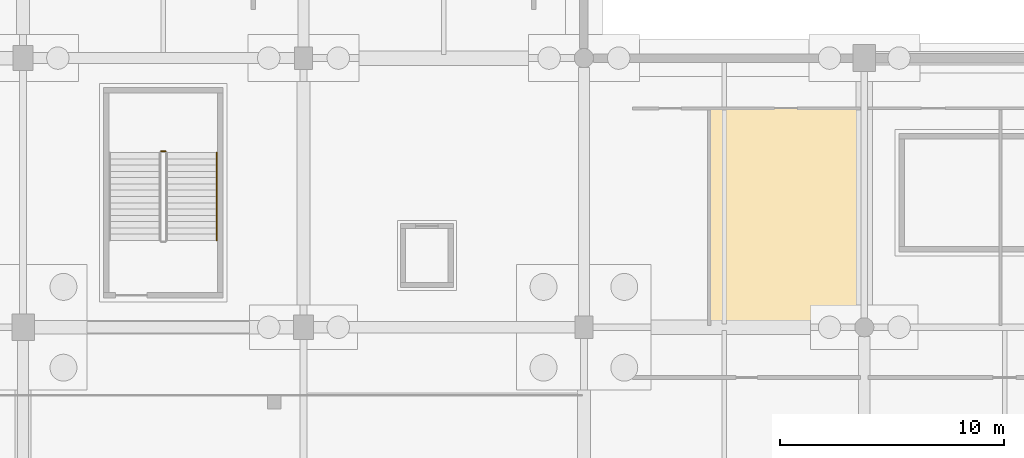
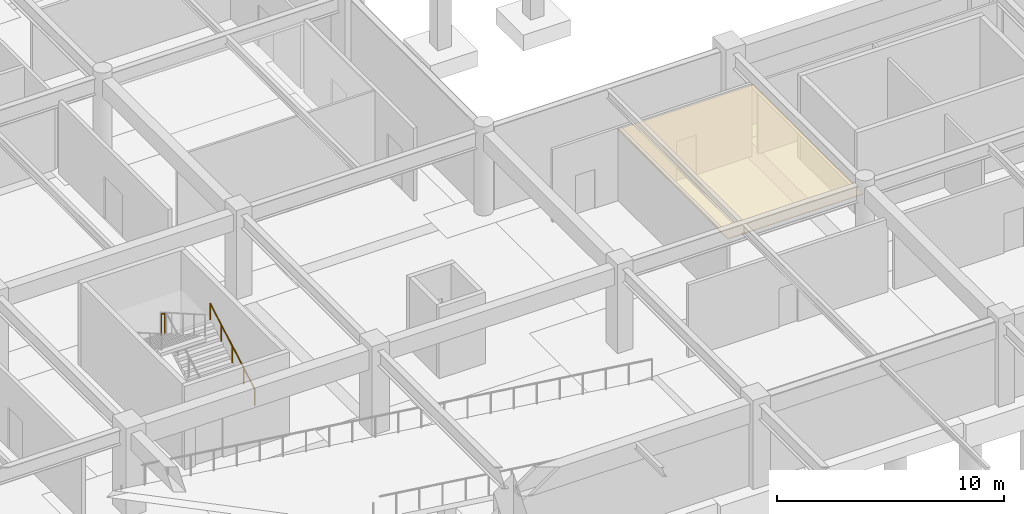
# One storey, part 45 of 56: 2 railings, 1 covering.
"""IFC4 building model written with IfcOpenShell, lengths in metres."""

import ifcopenshell
import ifcopenshell.guid

model = None  # the IFC model being written
_history = None  # IfcOwnerHistory: only IFC2X3 demands one
_inside = {}  # id of a spatial element -> (the spatial element, [elements in it])
_under = {}  # id of a project, library or spatial element -> (it, [spatial elements below it])
_declared = {}  # id of a project -> (the project, [libraries it declares])
_typed = {}  # id of a type object -> (the type object, [elements of that type])
_made_of = {}  # id of a material, layer set ... -> (it, [elements and type objects made of it])


def new_model(schema):
    """Start an empty IFC model of exactly this schema.

    Asked for "IFC4X3", IfcOpenShell would pick the latest addendum, in which some entities
    have other attributes; the version numbers below select the first issue.
    IFC2X3 requires an IfcOwnerHistory on every rooted entity: one is made here for all.
    """
    global model, _history
    if schema == "IFC4X3":
        model = ifcopenshell.file(schema_version=(4, 3, 0, 0))
    else:
        model = ifcopenshell.file(schema=schema)
    _inside.clear()
    _under.clear()
    _declared.clear()
    _typed.clear()
    _made_of.clear()
    _history = None
    if model.schema == "IFC2X3":
        org = make("IfcOrganization", Name="unknown")
        user = make(
            "IfcPersonAndOrganization",
            ThePerson=make("IfcPerson", FamilyName="unknown"),
            TheOrganization=org,
        )
        app = make(
            "IfcApplication",
            ApplicationDeveloper=org,
            Version="unknown",
            ApplicationFullName="unknown",
            ApplicationIdentifier="unknown",
        )
        _history = make(
            "IfcOwnerHistory",
            OwningUser=user,
            OwningApplication=app,
            ChangeAction="ADDED",
            CreationDate=0,
        )
    return model


def make(cls, **values):
    """One entity of the class cls with the attributes given. An attribute that is None is left unset."""
    return model.create_entity(
        cls, **{name: value for name, value in values.items() if value is not None}
    )


def rooted(cls, **values):
    """An entity with a GlobalId (a new one), such as an element, a storey or a relation."""
    return make(cls, GlobalId=ifcopenshell.guid.new(), OwnerHistory=_history, **values)


def si_unit(unit_type, name, prefix=None):
    """IfcSIUnit, for example si_unit("LENGTHUNIT", "METRE", prefix="MILLI")."""
    return make("IfcSIUnit", UnitType=unit_type, Prefix=prefix, Name=name)


def assignment(units):
    """IfcUnitAssignment: the units of a project."""
    return None if units is None else make("IfcUnitAssignment", Units=units)


def point(xyz):
    """IfcCartesianPoint."""
    return None if xyz is None else make("IfcCartesianPoint", Coordinates=xyz)


def direction(xyz):
    """IfcDirection."""
    return None if xyz is None else make("IfcDirection", DirectionRatios=xyz)


def frame(location, z_axis=None, x_axis=None):
    """IfcAxis2Placement3D, a coordinate frame: its origin and axes. An axis left out is left unset."""
    return make(
        "IfcAxis2Placement3D",
        Location=point(location),
        Axis=direction(z_axis),
        RefDirection=direction(x_axis),
    )


def frame_2d(location, x_axis=None):
    """IfcAxis2Placement2D, a coordinate frame in the plane: its origin and x axis."""
    return make(
        "IfcAxis2Placement2D", Location=point(location), RefDirection=direction(x_axis)
    )


def origin():
    """The frame at (0, 0, 0) with its axes left unset."""
    return frame((0.0, 0.0, 0.0))


def origin_2d():
    """The frame at (0, 0) in the plane with its x axis left unset."""
    return frame_2d((0.0, 0.0))


def place(relative_to, where):
    """IfcLocalPlacement: puts the frame where relative to a parent placement (None: the world)."""
    return make(
        "IfcLocalPlacement", PlacementRelTo=relative_to, RelativePlacement=where
    )


def context(
    kind, dimensions, precision=None, world=None, true_north=None, identifier=None
):
    """IfcGeometricRepresentationContext, for example the 3D "Model" context."""
    return make(
        "IfcGeometricRepresentationContext",
        ContextIdentifier=identifier,
        ContextType=kind,
        CoordinateSpaceDimension=dimensions,
        Precision=precision,
        WorldCoordinateSystem=world,
        TrueNorth=true_north,
    )


def subcontext(parent, identifier, kind, view, scale=None):
    """IfcGeometricRepresentationSubContext, for example "Body" below "Model"."""
    return make(
        "IfcGeometricRepresentationSubContext",
        ContextIdentifier=identifier,
        ContextType=kind,
        ParentContext=parent,
        TargetScale=scale,
        TargetView=view,
    )


def project(units=None, contexts=None):
    """IfcProject with its units and contexts."""
    return rooted(
        "IfcProject",
        Name="project",
        RepresentationContexts=contexts,
        UnitsInContext=assignment(units),
    )


def spatial(cls, under=None, at=None, **own):
    """A site, building, storey or space (cls), placed at a placement, below another one or the project."""
    s = rooted(cls, ObjectPlacement=at, **own)
    if under is not None:
        _under.setdefault(under.id(), (under, []))[1].append(s)
    return s


def polyline(points):
    """IfcPolyline through the points."""
    return make("IfcPolyline", Points=[point(p) for p in points])


def profile(cls, at=None, kind="AREA", **sizes):
    """A parametric profile (cls). Its sizes go by their IFC names, for example OverallWidth=200.0."""
    return make(cls, ProfileType=kind, Position=at, **sizes)


def circle(**sizes):
    """IfcCircleProfileDef."""
    return profile("IfcCircleProfileDef", **sizes)


def outline(outer, holes=None, kind="AREA"):
    """IfcArbitraryClosedProfileDef: a profile drawn as a closed curve; with holes, ...WithVoids."""
    if holes is None:
        return make("IfcArbitraryClosedProfileDef", ProfileType=kind, OuterCurve=outer)
    return make(
        "IfcArbitraryProfileDefWithVoids",
        ProfileType=kind,
        OuterCurve=outer,
        InnerCurves=holes,
    )


def extrude(swept, where, along, depth):
    """IfcExtrudedAreaSolid: the profile swept, set in the frame where, extruded along a direction by depth."""
    return make(
        "IfcExtrudedAreaSolid",
        SweptArea=swept,
        Position=where,
        ExtrudedDirection=direction(along),
        Depth=depth,
    )


def shape(context_of_items, identifier, shape_type, items):
    """IfcShapeRepresentation: the items that make up one representation, for example the "Body"."""
    return make(
        "IfcShapeRepresentation",
        ContextOfItems=context_of_items,
        RepresentationIdentifier=identifier,
        RepresentationType=shape_type,
        Items=items,
    )


def material(Name=None, Category=None):
    """IfcMaterial."""
    return make("IfcMaterial", Name=Name, Category=Category)


def layer(
    of_material, thickness, ventilated=None, Name=None, Category=None, Priority=None
):
    """IfcMaterialLayer: one layer of a wall or slab, of a material (None: an air gap)."""
    return make(
        "IfcMaterialLayer",
        Material=of_material,
        LayerThickness=thickness,
        IsVentilated=ventilated,
        Name=Name,
        Category=Category,
        Priority=Priority,
    )


def layer_set(layers, Name=None):
    """IfcMaterialLayerSet."""
    return make("IfcMaterialLayerSet", MaterialLayers=layers, LayerSetName=Name)


def made_of(thing, what):
    """Note that an element or type object is made of a material, layer set ...; save() writes the relation."""
    if what is not None:
        _made_of.setdefault(what.id(), (what, []))[1].append(thing)
    return thing


def type_object(cls, material=None, **own):
    """A type object (cls), such as IfcWallType, which elements share."""
    return made_of(rooted(cls, **own), material)


def element(
    cls,
    number,
    at=None,
    inside=None,
    cuts=None,
    type_object=None,
    material=None,
    context=None,
    identifier="Body",
    shape_type=None,
    held_by="IfcProductDefinitionShape",
    body=None,
    shapes=None,
    **own,
):
    """One element of the class cls, such as IfcWall. Its Tag is "e" and its number.

    at: its placement. inside: the storey or other place that contains it. cuts: it is an
    opening in that element (IfcRelVoidsElement). A single representation is given by context,
    identifier, shape_type and body (its items); several are given by shapes. held_by: the class
    of the entity that holds the representations. save() writes the other relations.
    """
    e = rooted(cls, Tag="e%d" % number, ObjectPlacement=at, **own)
    if body is not None:
        shapes = [shape(context, identifier, shape_type, body)]
    if shapes is not None:
        e.Representation = make(held_by, Representations=shapes)
    if inside is not None:
        _inside.setdefault(inside.id(), (inside, []))[1].append(e)
    if cuts is not None:
        rooted(
            "IfcRelVoidsElement", RelatingBuildingElement=cuts, RelatedOpeningElement=e
        )
    if type_object is not None:
        _typed.setdefault(type_object.id(), (type_object, []))[1].append(e)
    return made_of(e, material)


def aggregate(whole, parts):
    """IfcRelAggregates: a whole, such as a stair, and the parts it consists of."""
    return rooted("IfcRelAggregates", RelatingObject=whole, RelatedObjects=parts)


def save(model, path):
    """Write the relations noted so far, then the file.

    IfcRelAggregates (storeys below a building ...), IfcRelContainedInSpatialStructure (elements
    in a storey), IfcRelDefinesByType, IfcRelAssociatesMaterial and IfcRelDeclares: one each for
    every whole, place, type object, material and project.
    """
    for whole, parts in _under.values():
        aggregate(whole, parts)
    for where, things in _inside.values():
        rooted(
            "IfcRelContainedInSpatialStructure",
            RelatedElements=things,
            RelatingStructure=where,
        )
    for kind, things in _typed.values():
        rooted("IfcRelDefinesByType", RelatedObjects=things, RelatingType=kind)
    for what, things in _made_of.values():
        rooted("IfcRelAssociatesMaterial", RelatedObjects=things, RelatingMaterial=what)
    for by, libraries in _declared.values():
        rooted("IfcRelDeclares", RelatingContext=by, RelatedDefinitions=libraries)
    model.write(path)


model = new_model("IFC4")

# Units and contexts
model_context = context("Model", 3, precision=1e-05, world=origin(), true_north=direction((0.0, 1.0)))
body_context = subcontext(model_context, "Body", "Model", "MODEL_VIEW")
ifc_project = project(units=[si_unit("LENGTHUNIT", "METRE"), si_unit("AREAUNIT", "SQUARE_METRE"), si_unit("VOLUMEUNIT", "CUBIC_METRE"), si_unit("PLANEANGLEUNIT", "RADIAN"), si_unit("MASSUNIT", "GRAM", prefix="KILO")], contexts=[model_context])

# Site, building, storey
site_placement = place(None, origin())
site = spatial("IfcSite", under=ifc_project, at=site_placement, CompositionType="ELEMENT")
building_placement = place(site_placement, origin())
building = spatial("IfcBuilding", under=site, at=building_placement, Name="Kazenohara Klinker Stadium", CompositionType="ELEMENT")
storey_placement = place(building_placement, frame((0.0, 0.0, -4.800048828125)))
storey = spatial("IfcBuildingStorey", under=building, at=storey_placement, Name="B01", CompositionType="ELEMENT", Elevation=-4.800048828125)

# Covering
ifc_material_1 = material(Name="Slatted Hokkaido cedar acoustic baffle ceiling", Category="wood")
ifc_layer_1 = layer(ifc_material_1, 0.0400390625)
ifc_layer_set_1 = layer_set([ifc_layer_1], Name="Slatted Hokkaido cedar acoustic baffle ceiling")
covering_type = type_object("IfcCoveringType", Name="COV-CEIL-02", PredefinedType="CEILING", material=ifc_layer_set_1)
covering_placement = place(storey_placement, frame((0.0, 0.0, 3.739990234375)))
element("IfcCovering", 1, at=covering_placement, inside=storey, type_object=covering_type, Name="Suspended acoustic ceiling CL02 Indoor Turf Sprint Training Arena B01-0402B", PredefinedType="CEILING", context=body_context, shape_type="SweptSolid", body=[
    extrude(outline(polyline([(54.547119140625, 24.06005859375), (61.4599609375, 24.06005859375), (61.4599609375, 33.7900390625), (54.547119140625, 33.7900390625), (54.547119140625, 24.06005859375)])), origin(), (0.0, 0.0, 1.0), 0.0400390625),
])

# Railings
ifc_material_2 = material(Name="Brushed stainless steel 304 handrail", Category="steel")
ifc_layer_2 = layer(ifc_material_2, 0.050048828125)
ifc_layer_set_2 = layer_set([ifc_layer_2], Name="Brushed stainless steel 304 handrail")
railing_type_1 = type_object("IfcRailingType", Name="RL-HND-900", PredefinedType="HANDRAIL", material=ifc_layer_set_2)
railing_1_placement = place(storey_placement, frame((32.6298828125, 27.8701171875, 0.16015625)))
element("IfcRailing", 2, at=railing_1_placement, inside=storey, type_object=railing_type_1, Name="B01 ST07 stair handrail 1", PredefinedType="HANDRAIL", context=body_context, shape_type="SweptSolid", body=[
    extrude(circle(Radius=0.02392578125, at=origin_2d()), frame((0.0, 0.0, 0.8759765625), z_axis=(0.0, 0.868239814368, 0.496144761885), x_axis=(-1.0, 0.0, 0.0)), (0.0, 0.0, 1.0), 4.514892578125),
    extrude(circle(Radius=0.02099609375, at=origin_2d()), origin(), (0.0, 0.0, 1.0), 0.851806640625),
    extrude(circle(Radius=0.02099609375, at=origin_2d()), frame((0.0, 0.97998046875, 0.56005859375)), (0.0, 0.0, 1.0), 0.851806640625),
    extrude(circle(Radius=0.02099609375, at=origin_2d()), frame((0.0, 1.9599609375, 1.1201171875)), (0.0, 0.0, 1.0), 0.851806640625),
    extrude(circle(Radius=0.02099609375, at=origin_2d()), frame((0.0, 2.93994140625, 1.679931640625)), (0.0, 0.0, 1.0), 0.851806640625),
    extrude(circle(Radius=0.02099609375, at=origin_2d()), frame((0.0, 3.919921875, 2.239990234375)), (0.0, 0.0, 1.0), 0.851806640625),
])
ifc_material_3 = material(Name="Painted steel stairwell guardrail", Category="steel")
ifc_layer_3 = layer(ifc_material_3, 0.06005859375)
ifc_layer_set_3 = layer_set([ifc_layer_3], Name="Painted steel stairwell guardrail")
railing_type_2 = type_object("IfcRailingType", Name="RL-STG-1120", PredefinedType="GUARDRAIL", material=ifc_layer_set_3)
railing_2_placement = place(storey_placement, frame((30.35009765625, 31.840087890625, 2.400146484375)))
element("IfcRailing", 3, at=railing_2_placement, inside=storey, type_object=railing_type_2, Name="B01 ST07 stair guard 2", PredefinedType="GUARDRAIL", context=body_context, shape_type="SweptSolid", body=[
    extrude(circle(Radius=0.02392578125, at=origin_2d()), frame((0.0, 0.0, 1.1259765625), z_axis=(-1.0, 0.0, 0.0), x_axis=(0.0, -1.0, 0.0)), (0.0, 0.0, 1.0), 0.2001953125),
    extrude(circle(Radius=0.02099609375, at=origin_2d()), origin(), (0.0, 0.0, 1.0), 1.101806640625),
    extrude(circle(Radius=0.02099609375, at=origin_2d()), frame((-0.2001953125, 0.0, 0.0)), (0.0, 0.0, 1.0), 1.101806640625),
])

save(model, "model.ifc")
